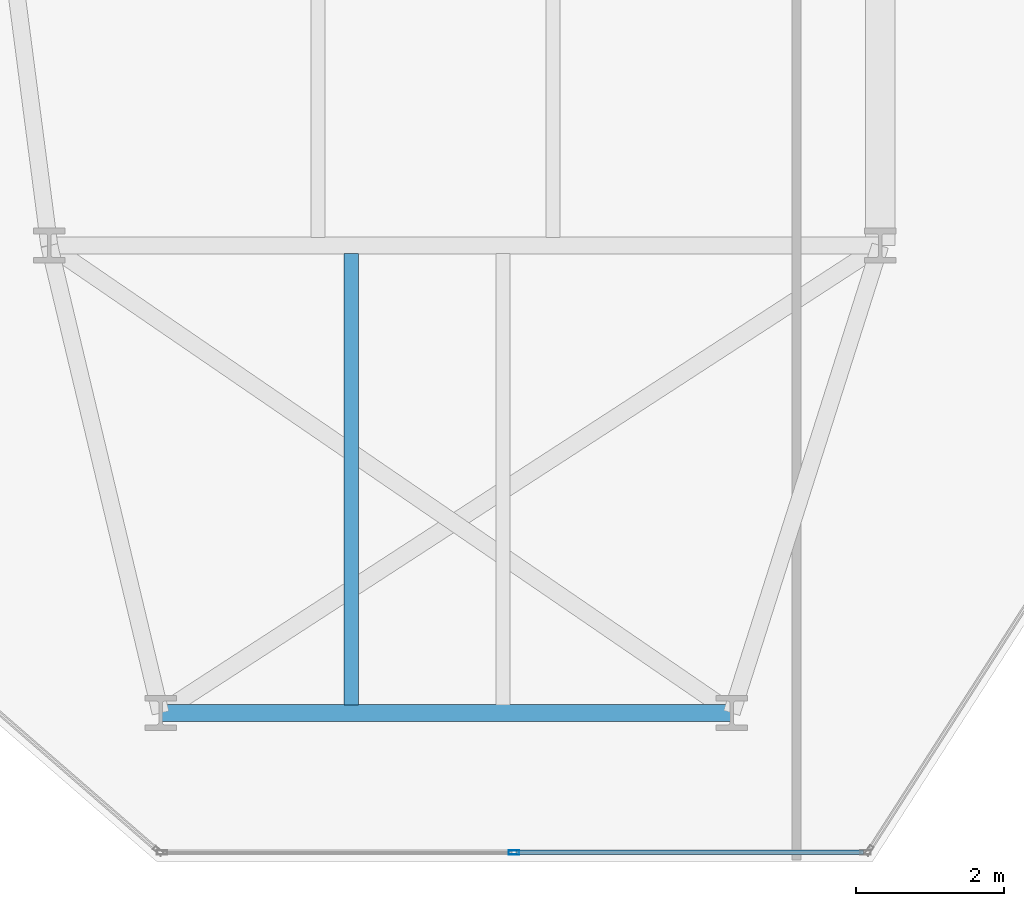
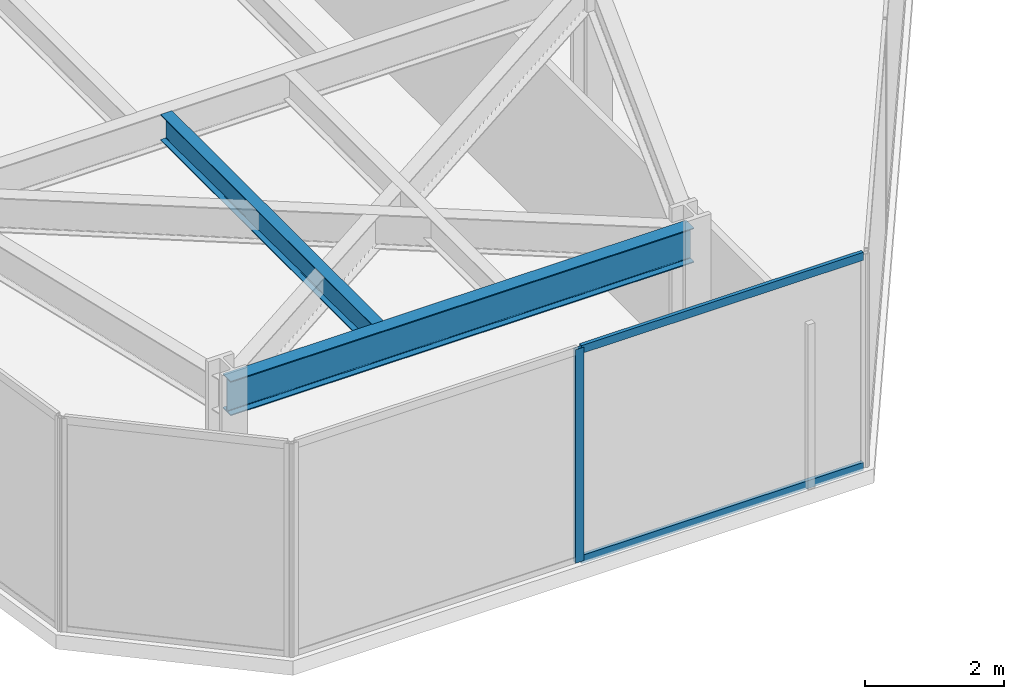
# One storey, part 3 of 26: 3 members, 2 beams, 1 element without a shape of its own.
"""IFC4 building model written with IfcOpenShell, lengths in metres."""

from ifc_helpers import new_model, si_unit, direction, frame, origin, origin_2d, place, context, subcontext, project, spatial, hollow_rectangle, i_section, extrude, material, layer, layer_set, material_profile, profile_set, type_object, element, aggregate, save


model = new_model("IFC4")

# Units and contexts
model_context = context("Model", 3, precision=1e-05, world=origin(), true_north=direction((0.0, 1.0)))
body_context = subcontext(model_context, "Body", "Model", "MODEL_VIEW")
ifc_project = project(units=[si_unit("LENGTHUNIT", "METRE"), si_unit("AREAUNIT", "SQUARE_METRE"), si_unit("VOLUMEUNIT", "CUBIC_METRE"), si_unit("PLANEANGLEUNIT", "RADIAN"), si_unit("MASSUNIT", "GRAM", prefix="KILO")], contexts=[model_context])

# Site, building, storey
site_placement = place(None, origin())
site = spatial("IfcSite", under=ifc_project, at=site_placement, CompositionType="ELEMENT")
building_placement = place(site_placement, origin())
building = spatial("IfcBuilding", under=site, at=building_placement, Name="Kravanh Interchange Tower", CompositionType="ELEMENT")
storey_placement = place(building_placement, frame((0.0, 0.0, 124.0)))
storey = spatial("IfcBuildingStorey", under=building, at=storey_placement, Name="L29", CompositionType="ELEMENT", Elevation=124.0)

# Curtain wall, members
ifc_material_1 = material(Name="Anodised Bronze Aluminium", Category="aluminium")
ifc_layer = layer(ifc_material_1, 0.179931640625)
ifc_layer_set = layer_set([ifc_layer], Name="Unitised Curtain Wall System CW-Z2 Mid Office")
curtain_wall_type = type_object("IfcCurtainWallType", Name="Unitised Curtain Wall System CW-Z2 Mid Office", PredefinedType="NOTDEFINED", material=ifc_layer_set)
curtain_wall_placement = place(storey_placement, origin())
curtain_wall = element("IfcCurtainWall", 1, at=curtain_wall_placement, inside=storey, type_object=curtain_wall_type, Name="L29 Unitised Curtain Wall CW-L29-06", PredefinedType="NOTDEFINED")
ifc_material_2 = material(Name="Anodised Bronze Aluminium", Category="aluminium")
ifc_material_profile_1 = material_profile(ifc_material_2, hollow_rectangle(XDim=0.06005859375, YDim=0.139892578125, WallThickness=0.00390625, at=origin_2d()), Name="ALU60X140X4")
ifc_profile_set_1 = profile_set([ifc_material_profile_1], Name="Anodised Bronze Aluminium")
member_type_1 = type_object("IfcMemberType", Name="Curtain Wall Mullion ALU60X140X4 Bronze", PredefinedType="MULLION", material=ifc_profile_set_1)
member_1_placement = place(storey_placement, frame((22.26220703125, 6.320068359375, 0.0), z_axis=(0.0, 0.0, 1.0), x_axis=(0.0, -1.0, 0.0)))
member_1 = element("IfcMember", 2, at=member_1_placement, type_object=member_type_1, Name="CW-Z2 mullion 2", PredefinedType="MULLION", context=body_context, shape_type="SweptSolid", body=[
    extrude(hollow_rectangle(XDim=0.06005859375, YDim=0.139892578125, WallThickness=0.00390625, at=origin_2d()), origin(), (0.0, 0.0, 1.0), 3.75),
])
ifc_material_3 = material(Name="Anodised Bronze Aluminium", Category="aluminium")
ifc_material_profile_2 = material_profile(ifc_material_3, hollow_rectangle(XDim=0.06005859375, YDim=0.139892578125, WallThickness=0.00390625, at=origin_2d()), Name="ALU60X140X4")
ifc_profile_set_2 = profile_set([ifc_material_profile_2], Name="Anodised Bronze Aluminium")
member_type_2 = type_object("IfcMemberType", Name="Curtain Wall Transom ALU60X140X4 Bronze", PredefinedType="USERDEFINED", material=ifc_profile_set_2)
member_2_placement = place(storey_placement, frame((26.974365234375, 6.320068359375, 0.030029296875), z_axis=(-1.0, 0.0, 0.0), x_axis=(0.0, -1.0, 0.0)))
member_2 = element("IfcMember", 3, at=member_2_placement, type_object=member_type_2, Name="CW-Z2 transom 1.1", ObjectType="TRANSOM", PredefinedType="USERDEFINED", context=body_context, shape_type="SweptSolid", body=[
    extrude(hollow_rectangle(XDim=0.06005859375, YDim=0.139892578125, WallThickness=0.00390625, at=origin_2d()), origin(), (0.0, 0.0, 1.0), 4.682373046875),
])
member_3_placement = place(storey_placement, frame((26.974365234375, 6.320068359375, 3.719970703125), z_axis=(-1.0, 0.0, 0.0), x_axis=(0.0, -1.0, 0.0)))
member_3 = element("IfcMember", 4, at=member_3_placement, type_object=member_type_2, Name="CW-Z2 transom 1.2", ObjectType="TRANSOM", PredefinedType="USERDEFINED", context=body_context, shape_type="SweptSolid", body=[
    extrude(hollow_rectangle(XDim=0.06005859375, YDim=0.139892578125, WallThickness=0.00390625, at=origin_2d()), origin(), (0.0, 0.0, 1.0), 4.682373046875),
])
aggregate(curtain_wall, [member_1, member_2, member_3])

# Beams
ifc_material_4 = material(Name="Structural Steel S355", Category="steel")
ifc_material_profile_3 = material_profile(ifc_material_4, i_section(OverallWidth=0.18994140625, OverallDepth=0.45703125, WebThickness=0.009033203125, FlangeThickness=0.014404296875, FilletRadius=0.01806640625, at=origin_2d()), Name="W18X50")
ifc_profile_set_3 = profile_set([ifc_material_profile_3], Name="Structural Steel S355")
beam_type_1 = type_object("IfcBeamType", Name="Floor Joist W18X50 Structural Steel S355", PredefinedType="JOIST", material=ifc_profile_set_3)
beam_1_placement = place(storey_placement, frame((20.070068359375, 8.30908203125, 3.521484375), z_axis=(0.0, 1.0, 0.0), x_axis=(-1.0, 0.0, 0.0)))
element("IfcBeam", 5, at=beam_1_placement, inside=storey, type_object=beam_type_1, Name="L29 Secondary Floor Joist 1", PredefinedType="JOIST", context=body_context, shape_type="SweptSolid", body=[
    extrude(i_section(OverallWidth=0.18994140625, OverallDepth=0.45703125, WebThickness=0.009033203125, FlangeThickness=0.014404296875, FilletRadius=0.01806640625, at=origin_2d()), origin(), (0.0, 0.0, 1.0), 6.08203125),
])
ifc_material_5 = material(Name="Structural Steel S355", Category="steel")
ifc_material_profile_4 = material_profile(ifc_material_5, i_section(OverallWidth=0.22802734375, OverallDepth=0.60791015625, WebThickness=0.01123046875, FlangeThickness=0.017333984375, FilletRadius=0.02197265625, at=origin_2d()), Name="W24X76")
ifc_profile_set_4 = profile_set([ifc_material_profile_4], Name="Structural Steel S355")
beam_type_2 = type_object("IfcBeamType", Name="Floor Spandrel W24X76 Structural Steel S355", PredefinedType="SPANDREL", material=ifc_profile_set_4)
beam_2_placement = place(storey_placement, frame((17.5, 8.199951171875, 3.446044921875), z_axis=(1.0, 0.0, 0.0), x_axis=(0.0, 1.0, 0.0)))
element("IfcBeam", 6, at=beam_2_placement, inside=storey, type_object=beam_type_2, Name="L29 Perimeter Spandrel 35", PredefinedType="SPANDREL", context=body_context, shape_type="SweptSolid", body=[
    extrude(i_section(OverallWidth=0.22802734375, OverallDepth=0.60791015625, WebThickness=0.01123046875, FlangeThickness=0.017333984375, FilletRadius=0.02197265625, at=origin_2d()), origin(), (0.0, 0.0, 1.0), 7.699951171875),
])

save(model, "model.ifc")
